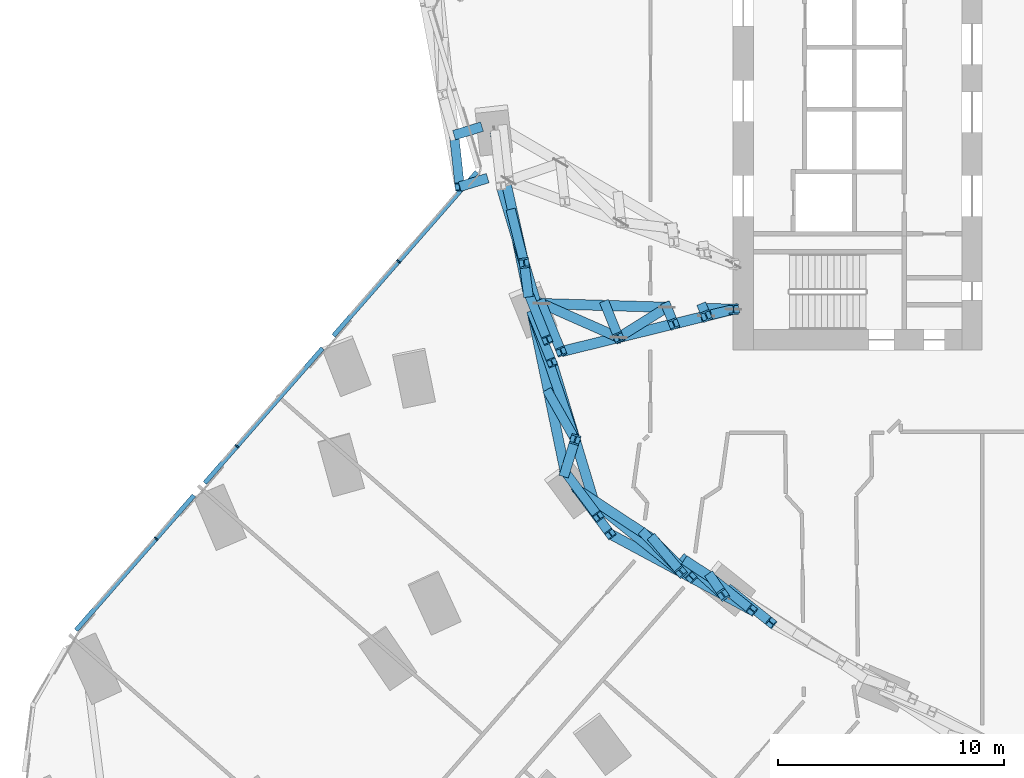
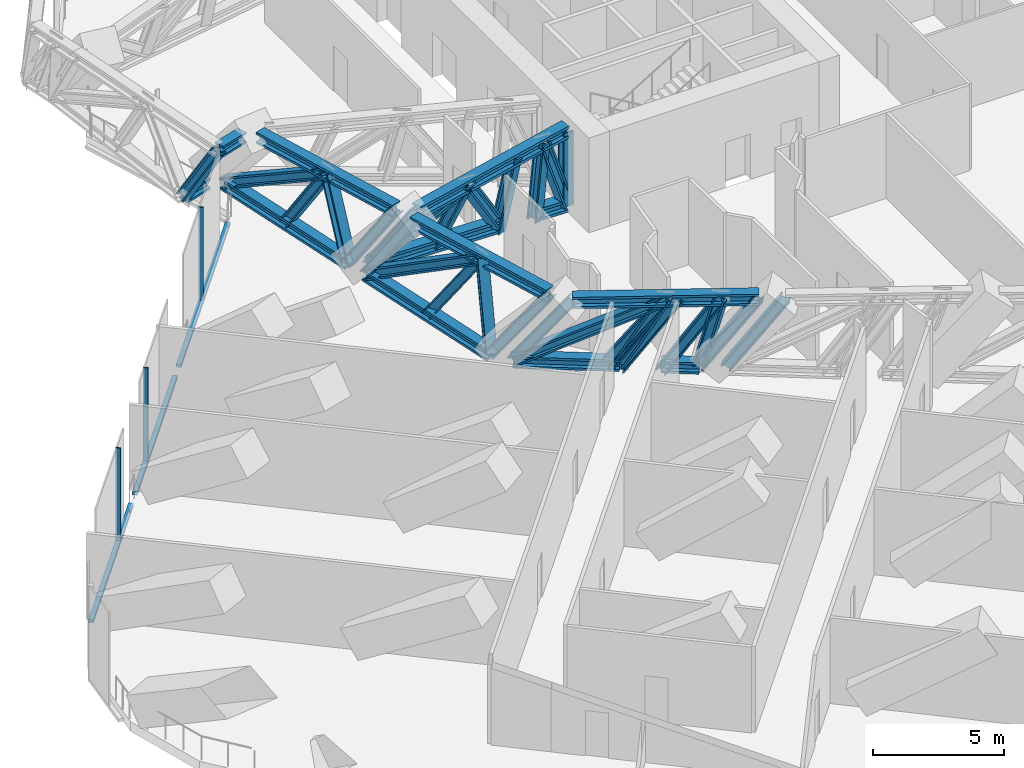
# One storey, part 6 of 34: 45 members, 1 element without a shape of its own.
"""IFC4 building model written with IfcOpenShell, lengths in metres."""

from ifc_helpers import new_model, si_unit, direction, frame, origin, origin_2d, place, context, subcontext, project, spatial, rectangle, i_section, extrude, material, material_profile, profile_set, type_object, element, aggregate, save


model = new_model("IFC4")

# Units and contexts
model_context = context("Model", 3, precision=1e-05, world=origin(), true_north=direction((0.0, 1.0)))
body_context = subcontext(model_context, "Body", "Model", "MODEL_VIEW")
ifc_project = project(units=[si_unit("LENGTHUNIT", "METRE"), si_unit("AREAUNIT", "SQUARE_METRE"), si_unit("VOLUMEUNIT", "CUBIC_METRE"), si_unit("PLANEANGLEUNIT", "RADIAN"), si_unit("MASSUNIT", "GRAM", prefix="KILO")], contexts=[model_context])

# Site, building, storey
site_placement = place(None, origin())
site = spatial("IfcSite", under=ifc_project, at=site_placement, CompositionType="ELEMENT")
building_placement = place(site_placement, origin())
building = spatial("IfcBuilding", under=site, at=building_placement, Name="Orlundy Tower", CompositionType="ELEMENT")
storey_placement = place(building_placement, frame((0.0, 0.0, 76.300048828125)))
storey = spatial("IfcBuildingStorey", under=building, at=storey_placement, Name="L18", CompositionType="ELEMENT", Elevation=76.300048828125)

# Members
ifc_material_1 = material(Name="Steel ASTM A992 Gr 50", Category="steel")
ifc_material_profile_1 = material_profile(ifc_material_1, i_section(OverallWidth=0.4423828125, OverallDepth=0.531494140625, WebThickness=0.06591796875, FlangeThickness=0.105712890625, at=origin_2d()), Name="W14X605")
ifc_profile_set_1 = profile_set([ifc_material_profile_1], Name="Steel ASTM A992 Gr 50")
member_type_1 = type_object("IfcMemberType", Name="BELT TRUSS chord W14X605", PredefinedType="CHORD", material=ifc_profile_set_1)
for number, where, z_axis, x_axis, name in (
    (1, (-29.500244140625, -2.482666015625, 0.28466796875), (0.20268972428, -0.979243011551, 0.0), (0.979243011551, 0.20268972428, 0.0), "Belt truss bottom chord BT-01"),
    (2, (-29.249267578125, -4.757080078125, 3.715087890625), (0.288120504515, -0.957594159797, 0.0), (0.957594159797, 0.288120504515, 0.0), "Belt truss top chord BT-01"),
):
    element("IfcMember", number, at=place(storey_placement, frame(where, z_axis=z_axis, x_axis=x_axis)), inside=storey, type_object=member_type_1, Name=name, PredefinedType="CHORD", context=body_context, shape_type="SweptSolid", body=[
        extrude(i_section(OverallWidth=0.4423828125, OverallDepth=0.531494140625, WebThickness=0.06591796875, FlangeThickness=0.105712890625, at=origin_2d()), origin(), (0.0, 0.0, 1.0), 7.101806640625),
    ])
member_1_placement = place(storey_placement, frame((-27.85498046875, -10.430908203125, 0.28466796875), z_axis=(0.202749990079, -0.979230535432, 0.0), x_axis=(0.979230535432, 0.202749990079, 0.0)))
element("IfcMember", 3, at=member_1_placement, inside=storey, type_object=member_type_1, Name="Belt truss bottom chord BT-02", PredefinedType="CHORD", context=body_context, shape_type="SweptSolid", body=[
    extrude(i_section(OverallWidth=0.4423828125, OverallDepth=0.531494140625, WebThickness=0.06591796875, FlangeThickness=0.105712890625, at=origin_2d()), origin(), (0.0, 0.0, 1.0), 7.100830078125),
])
member_2_placement = place(storey_placement, frame((-26.997314453125, -12.5517578125, 3.715087890625), z_axis=(0.288284551089, -0.957544786213, 0.0), x_axis=(0.957544786213, 0.288284551089, 0.0)))
element("IfcMember", 4, at=member_2_placement, inside=storey, type_object=member_type_1, Name="Belt truss top chord BT-02", PredefinedType="CHORD", context=body_context, shape_type="SweptSolid", body=[
    extrude(i_section(OverallWidth=0.4423828125, OverallDepth=0.531494140625, WebThickness=0.06591796875, FlangeThickness=0.105712890625, at=origin_2d()), origin(), (0.0, 0.0, 1.0), 7.10107421875),
])
member_3_placement = place(storey_placement, frame((-25.88818359375, -18.159912109375, 0.28466796875), z_axis=(0.835771760179, -0.5490770118, 0.0), x_axis=(0.5490770118, 0.835771760179, 0.0)))
element("IfcMember", 5, at=member_3_placement, inside=storey, type_object=member_type_1, Name="Belt truss bottom chord BT-03", PredefinedType="CHORD", context=body_context, shape_type="SweptSolid", body=[
    extrude(i_section(OverallWidth=0.4423828125, OverallDepth=0.531494140625, WebThickness=0.06591796875, FlangeThickness=0.105712890625, at=origin_2d()), origin(), (0.0, 0.0, 1.0), 4.056884765625),
])
member_4_placement = place(storey_placement, frame((-21.16015625, -21.26611328125, 0.28466796875), z_axis=(0.835827361223, -0.54899236992, 0.0), x_axis=(0.54899236992, 0.835827361223, 0.0)))
element("IfcMember", 6, at=member_4_placement, inside=storey, type_object=member_type_1, Name="Belt truss bottom chord BT-032", PredefinedType="CHORD", context=body_context, shape_type="SweptSolid", body=[
    extrude(i_section(OverallWidth=0.4423828125, OverallDepth=0.531494140625, WebThickness=0.06591796875, FlangeThickness=0.105712890625, at=origin_2d()), origin(), (0.0, 0.0, 1.0), 1.4443359375),
])
member_5_placement = place(storey_placement, frame((-24.42333984375, -20.126953125, 3.715087890625), z_axis=(0.880851633016, -0.473392438271, 0.0), x_axis=(0.473392438271, 0.880851633016, 0.0)))
element("IfcMember", 7, at=member_5_placement, inside=storey, type_object=member_type_1, Name="Belt truss top chord BT-03", PredefinedType="CHORD", context=body_context, shape_type="SweptSolid", body=[
    extrude(i_section(OverallWidth=0.4423828125, OverallDepth=0.531494140625, WebThickness=0.06591796875, FlangeThickness=0.105712890625, at=origin_2d()), origin(), (0.0, 0.0, 1.0), 7.10205078125),
])
ifc_material_2 = material(Name="Steel ASTM A992 Gr 50", Category="steel")
ifc_material_profile_2 = material_profile(ifc_material_2, i_section(OverallWidth=0.42431640625, OverallDepth=0.47412109375, WebThickness=0.0478515625, FlangeThickness=0.0771484375, at=origin_2d()), Name="W14X426")
ifc_profile_set_2 = profile_set([ifc_material_profile_2], Name="Steel ASTM A992 Gr 50")
member_type_2 = type_object("IfcMemberType", Name="BELT TRUSS diagonal W14X426", PredefinedType="BRACE", material=ifc_profile_set_2)
member_6_placement = place(storey_placement, frame((-29.500244140625, -2.482666015625, 0.28466796875), z_axis=(0.188699251208, -0.840414906129, 0.508030883067), x_axis=(0.975707646273, 0.219076673804, 0.0)))
element("IfcMember", 8, at=member_6_placement, inside=storey, type_object=member_type_2, Name="Belt truss diagonal BT-01-0", PredefinedType="BRACE", context=body_context, shape_type="SweptSolid", body=[
    extrude(i_section(OverallWidth=0.42431640625, OverallDepth=0.47412109375, WebThickness=0.0478515625, FlangeThickness=0.0771484375, at=origin_2d()), origin(), (0.0, 0.0, 1.0), 6.75244140625),
])
member_7_placement = place(storey_placement, frame((-28.22607421875, -8.157470703125, 3.715087890625), z_axis=(0.045097569008, -0.349123130234, -0.935991051883), x_axis=(0.991760037922, 0.128109434397, 0.0)))
element("IfcMember", 9, at=member_7_placement, inside=storey, type_object=member_type_2, Name="Belt truss diagonal BT-01-1", PredefinedType="BRACE", context=body_context, shape_type="SweptSolid", body=[
    extrude(i_section(OverallWidth=0.42431640625, OverallDepth=0.47412109375, WebThickness=0.0478515625, FlangeThickness=0.0771484375, at=origin_2d()), origin(), (0.0, 0.0, 1.0), 3.6650390625),
])
member_8_placement = place(storey_placement, frame((-27.85498046875, -10.430908203125, 0.28466796875), z_axis=(0.278012109082, -0.81588706172, 0.506988727411), x_axis=(0.946556668844, 0.322537552337, 0.0)))
element("IfcMember", 10, at=member_8_placement, inside=storey, type_object=member_type_2, Name="Belt truss diagonal BT-02-0", PredefinedType="BRACE", context=body_context, shape_type="SweptSolid", body=[
    extrude(i_section(OverallWidth=0.42431640625, OverallDepth=0.47412109375, WebThickness=0.0478515625, FlangeThickness=0.0771484375, at=origin_2d()), origin(), (0.0, 0.0, 1.0), 6.766357421875),
])
member_9_placement = place(storey_placement, frame((-25.973876953125, -15.951416015625, 3.715087890625), z_axis=(-0.117904640175, -0.382733591363, -0.916304258348), x_axis=(0.955680373652, -0.294406221769, 0.0)))
element("IfcMember", 11, at=member_9_placement, inside=storey, type_object=member_type_2, Name="Belt truss diagonal BT-02-1", PredefinedType="BRACE", context=body_context, shape_type="SweptSolid", body=[
    extrude(i_section(OverallWidth=0.42431640625, OverallDepth=0.47412109375, WebThickness=0.0478515625, FlangeThickness=0.0771484375, at=origin_2d()), origin(), (0.0, 0.0, 1.0), 3.74365234375),
])
member_10_placement = place(storey_placement, frame((-25.88818359375, -18.159912109375, 0.28466796875), z_axis=(0.6759148131, -0.536901714446, 0.504852170895), x_axis=(0.621985745203, 0.783028564462, 0.0)))
element("IfcMember", 12, at=member_10_placement, inside=storey, type_object=member_type_2, Name="Belt truss diagonal BT-03-0", PredefinedType="BRACE", context=body_context, shape_type="SweptSolid", body=[
    extrude(i_section(OverallWidth=0.42431640625, OverallDepth=0.47412109375, WebThickness=0.0478515625, FlangeThickness=0.0771484375, at=origin_2d()), origin(), (0.0, 0.0, 1.0), 6.794921875),
])
member_11_placement = place(storey_placement, frame((-21.29541015625, -21.80810546875, 3.715087890625), z_axis=(-0.308028592255, 0.364016729961, -0.878982483706), x_axis=(-0.763371357103, -0.645959883549, 0.0)))
element("IfcMember", 13, at=member_11_placement, inside=storey, type_object=member_type_2, Name="Belt truss diagonal BT-03-1", PredefinedType="BRACE", context=body_context, shape_type="SweptSolid", body=[
    extrude(i_section(OverallWidth=0.42431640625, OverallDepth=0.47412109375, WebThickness=0.0478515625, FlangeThickness=0.0771484375, at=origin_2d()), origin(), (0.0, 0.0, 1.0), 3.90283203125),
])
member_12_placement = place(storey_placement, frame((-19.43994140625, -22.80517578125, 3.715087890625), z_axis=(-0.14457580209, 0.210292075767, -0.966889383704), x_axis=(-0.824041924199, -0.566528822887, 0.0)))
element("IfcMember", 14, at=member_12_placement, inside=storey, type_object=member_type_2, Name="Belt truss diagonal BT-03-3", PredefinedType="BRACE", context=body_context, shape_type="SweptSolid", body=[
    extrude(i_section(OverallWidth=0.42431640625, OverallDepth=0.47412109375, WebThickness=0.0478515625, FlangeThickness=0.0771484375, at=origin_2d()), origin(), (0.0, 0.0, 1.0), 3.5478515625),
])
ifc_material_3 = material(Name="Steel ASTM A992 Gr 50", Category="steel")
ifc_material_profile_3 = material_profile(ifc_material_3, i_section(OverallWidth=0.412109375, OverallDepth=0.434814453125, WebThickness=0.035888671875, FlangeThickness=0.057373046875, at=origin_2d()), Name="W14X311")
ifc_profile_set_3 = profile_set([ifc_material_profile_3], Name="Steel ASTM A992 Gr 50")
member_type_3 = type_object("IfcMemberType", Name="BELT TRUSS post W14X311", PredefinedType="POST", material=ifc_profile_set_3)
member_13_placement = place(storey_placement, frame((-28.780517578125, -5.9599609375, 0.28466796875), z_axis=(0.134852621673, -0.534481923241, 0.834352350123), x_axis=(0.969614277657, 0.244638820638, 0.0)))
element("IfcMember", 15, at=member_13_placement, inside=storey, type_object=member_type_3, Name="Belt truss post BT-01-1", PredefinedType="POST", context=body_context, shape_type="SweptSolid", body=[
    extrude(i_section(OverallWidth=0.412109375, OverallDepth=0.434814453125, WebThickness=0.035888671875, FlangeThickness=0.057373046875, at=origin_2d()), origin(), (0.0, 0.0, 1.0), 4.111572265625),
])
member_14_placement = place(storey_placement, frame((-28.060791015625, -9.43701171875, 0.28466796875), z_axis=(0.208012486797, -0.514317238917, 0.831990734978), x_axis=(0.927049296818, 0.374939463472, 0.0)))
element("IfcMember", 16, at=member_14_placement, inside=storey, type_object=member_type_3, Name="Belt truss post BT-01-2", PredefinedType="POST", context=body_context, shape_type="SweptSolid", body=[
    extrude(i_section(OverallWidth=0.412109375, OverallDepth=0.434814453125, WebThickness=0.035888671875, FlangeThickness=0.057373046875, at=origin_2d()), origin(), (0.0, 0.0, 1.0), 4.123046875),
])
member_15_placement = place(storey_placement, frame((-27.85498046875, -10.430908203125, 0.28466796875), z_axis=(0.208006151938, -0.514360786191, 0.831965397348), x_axis=(0.927064298531, 0.374902369142, 0.0)))
element("IfcMember", 17, at=member_15_placement, inside=storey, type_object=member_type_3, Name="Belt truss post BT-02-0", PredefinedType="POST", context=body_context, shape_type="SweptSolid", body=[
    extrude(i_section(OverallWidth=0.412109375, OverallDepth=0.434814453125, WebThickness=0.035888671875, FlangeThickness=0.057373046875, at=origin_2d()), origin(), (0.0, 0.0, 1.0), 4.123291015625),
])
member_16_placement = place(storey_placement, frame((-27.135009765625, -13.90771484375, 0.28466796875), z_axis=(0.279222353819, -0.4914571749, 0.824927101244), x_axis=(0.869467710365, 0.493989777863, 0.0)))
element("IfcMember", 18, at=member_16_placement, inside=storey, type_object=member_type_3, Name="Belt truss post BT-02-1", PredefinedType="POST", context=body_context, shape_type="SweptSolid", body=[
    extrude(i_section(OverallWidth=0.412109375, OverallDepth=0.434814453125, WebThickness=0.035888671875, FlangeThickness=0.057373046875, at=origin_2d()), origin(), (0.0, 0.0, 1.0), 4.158447265625),
])
for number, where, z_axis, x_axis, name in (
    (19, (-26.415283203125, -17.38427734375, 0.28466796875), (0.347420060499, -0.466449496325, 0.813464300963), (0.801990351817, 0.597336986627, 0.0), "Belt truss post BT-02-2"),
    (20, (-25.88818359375, -18.159912109375, 0.28466796875), (0.347369153079, -0.466458877726, 0.813480661651), (0.802038037376, 0.597272958205, 0.0), "Belt truss post BT-03-0"),
):
    element("IfcMember", number, at=place(storey_placement, frame(where, z_axis=z_axis, x_axis=x_axis)), inside=storey, type_object=member_type_3, Name=name, PredefinedType="POST", context=body_context, shape_type="SweptSolid", body=[
        extrude(i_section(OverallWidth=0.412109375, OverallDepth=0.434814453125, WebThickness=0.035888671875, FlangeThickness=0.057373046875, at=origin_2d()), origin(), (0.0, 0.0, 1.0), 4.217041015625),
    ])
member_17_placement = place(storey_placement, frame((-22.920654296875, -20.109619140625, 0.28466796875), z_axis=(0.390814068484, -0.408426239214, 0.824895369727), x_axis=(0.722513282855, 0.691357039523, 0.0)))
element("IfcMember", 21, at=member_17_placement, inside=storey, type_object=member_type_3, Name="Belt truss post BT-03-1", PredefinedType="POST", context=body_context, shape_type="SweptSolid", body=[
    extrude(i_section(OverallWidth=0.412109375, OverallDepth=0.434814453125, WebThickness=0.035888671875, FlangeThickness=0.057373046875, at=origin_2d()), origin(), (0.0, 0.0, 1.0), 4.15869140625),
])
member_18_placement = place(storey_placement, frame((-22.49755859375, -20.387451171875, 0.01904296875), z_axis=(0.376800952221, -0.379535842854, 0.8449695772), x_axis=(0.709659018136, 0.704545298741, 0.0)))
element("IfcMember", 22, at=member_18_placement, inside=storey, type_object=member_type_3, Name="Belt truss post BT-03-2", PredefinedType="POST", context=body_context, shape_type="SweptSolid", body=[
    extrude(i_section(OverallWidth=0.412109375, OverallDepth=0.434814453125, WebThickness=0.035888671875, FlangeThickness=0.057373046875, at=origin_2d()), origin(), (0.0, 0.0, 1.0), 4.374267578125),
])
member_19_placement = place(storey_placement, frame((-21.16015625, -21.26611328125, 0.01904296875), z_axis=(0.394762791664, -0.353191121012, 0.848185339626), x_axis=(0.66677630877, 0.745257911104, 0.0)))
element("IfcMember", 23, at=member_19_placement, inside=storey, type_object=member_type_3, Name="Belt truss post BT-03-3", PredefinedType="POST", context=body_context, shape_type="SweptSolid", body=[
    extrude(i_section(OverallWidth=0.412109375, OverallDepth=0.434814453125, WebThickness=0.035888671875, FlangeThickness=0.057373046875, at=origin_2d()), origin(), (0.0, 0.0, 1.0), 4.357666015625),
])
for number, where, z_axis, x_axis, name in (
    (24, (-19.952880859375, -22.05908203125, 0.28466796875), (0.433021418029, -0.346807937289, 0.831995616672), (0.625124480939, 0.780525068996, 0.0), "Belt truss post BT-03-4"),
    (25, (-19.1044921875, -22.6162109375, 0.28466796875), (0.433021418029, -0.346807937289, 0.831995616672), (0.625124480939, 0.780525068996, 0.0), "Belt truss post BT-04-0"),
):
    element("IfcMember", number, at=place(storey_placement, frame(where, z_axis=z_axis, x_axis=x_axis)), inside=storey, type_object=member_type_3, Name=name, PredefinedType="POST", context=body_context, shape_type="SweptSolid", body=[
        extrude(i_section(OverallWidth=0.412109375, OverallDepth=0.434814453125, WebThickness=0.035888671875, FlangeThickness=0.057373046875, at=origin_2d()), origin(), (0.0, 0.0, 1.0), 4.123046875),
    ])
member_20_placement = place(storey_placement, frame((-31.321533203125, -2.51123046875, 0.28466796875), z_axis=(0.060866069322, -0.551524742928, 0.831934961126), x_axis=(0.993965442161, 0.109693663397, 0.0)))
element("IfcMember", 26, at=member_20_placement, inside=storey, type_object=member_type_3, Name="Belt truss post BT-24A-2", PredefinedType="POST", context=body_context, shape_type="SweptSolid", body=[
    extrude(i_section(OverallWidth=0.412109375, OverallDepth=0.434814453125, WebThickness=0.035888671875, FlangeThickness=0.057373046875, at=origin_2d()), origin(), (0.0, 0.0, 1.0), 4.12353515625),
])
ifc_material_4 = material(Name="Steel ASTM A992 Gr 50", Category="steel")
ifc_material_profile_4 = material_profile(ifc_material_4, i_section(OverallWidth=0.43212890625, OverallDepth=0.497802734375, WebThickness=0.0556640625, FlangeThickness=0.0888671875, at=origin_2d()), Name="W14X500")
ifc_profile_set_4 = profile_set([ifc_material_profile_4], Name="Steel ASTM A992 Gr 50")
member_type_4 = type_object("IfcMemberType", Name="BELT TRUSS strut W14X500", PredefinedType="STRUT", material=ifc_profile_set_4)
for number, where, z_axis, x_axis, name in (
    (27, (-30.08837890625, -2.13427734375, 0.28466796875), (-0.956317760074, -0.292329166809, 0.0), (0.292329166809, -0.956317760074, 0.0), "Belt truss bracket C-H15"),
    (28, (-29.83740234375, -4.408447265625, 3.715087890625), (-0.956317760074, -0.292329166809, 0.0), (0.292329166809, -0.956317760074, 0.0), "Belt truss bracket C-H15"),
):
    element("IfcMember", number, at=place(storey_placement, frame(where, z_axis=z_axis, x_axis=x_axis)), inside=storey, type_object=member_type_4, Name=name, PredefinedType="STRUT", context=body_context, shape_type="SweptSolid", body=[
        extrude(i_section(OverallWidth=0.43212890625, OverallDepth=0.497802734375, WebThickness=0.0556640625, FlangeThickness=0.0888671875, at=origin_2d()), origin(), (0.0, 0.0, 1.0), 1.28955078125),
    ])

# Curtain wall, members
ifc_material_5 = material(Name="Aluminium bronze anodised", Category="aluminium")
curtain_wall_type = type_object("IfcCurtainWallType", Name="CW4 wall", PredefinedType="NOTDEFINED", material=ifc_material_5)
curtain_wall_placement = place(storey_placement, origin())
curtain_wall = element("IfcCurtainWall", 29, at=curtain_wall_placement, inside=storey, type_object=curtain_wall_type, Name="CW4 run 042", PredefinedType="NOTDEFINED")
ifc_material_6 = material(Name="Aluminium bronze anodised", Category="aluminium")
ifc_material_profile_5 = material_profile(ifc_material_6, rectangle(XDim=0.199951171875, YDim=0.06005859375, at=origin_2d()), Name="CW4 mullion 60x200")
ifc_profile_set_5 = profile_set([ifc_material_profile_5], Name="Aluminium bronze anodised")
member_type_5 = type_object("IfcMemberType", Name="CW4 mullion 60x200", PredefinedType="MULLION", material=ifc_profile_set_5)
member_21_placement = place(storey_placement, frame((-44.4755859375, -20.328125, -0.449951171875), z_axis=(0.0, 0.0, 1.0), x_axis=(-0.752784624507, 0.658266898078, 0.0)))
member_21 = element("IfcMember", 30, at=member_21_placement, type_object=member_type_5, Name="CW4 mullion 71", PredefinedType="MULLION", context=body_context, shape_type="SweptSolid", body=[
    extrude(rectangle(XDim=0.199951171875, YDim=0.06005859375, at=origin_2d()), origin(), (0.0, 0.0, 1.0), 4.449951171875),
])
member_22_placement = place(storey_placement, frame((-40.906982421875, -16.2470703125, -0.449951171875), z_axis=(0.0, 0.0, 1.0), x_axis=(-0.752784624507, 0.658266898078, 0.0)))
member_22 = element("IfcMember", 31, at=member_22_placement, type_object=member_type_5, Name="CW4 mullion 72", PredefinedType="MULLION", context=body_context, shape_type="SweptSolid", body=[
    extrude(rectangle(XDim=0.199951171875, YDim=0.06005859375, at=origin_2d()), origin(), (0.0, 0.0, 1.0), 4.449951171875),
])
member_23_placement = place(storey_placement, frame((-33.769775390625, -8.085205078125, -0.449951171875), z_axis=(0.0, 0.0, 1.0), x_axis=(-0.752784624507, 0.658266898078, 0.0)))
member_23 = element("IfcMember", 32, at=member_23_placement, type_object=member_type_5, Name="CW4 mullion 74", PredefinedType="MULLION", context=body_context, shape_type="SweptSolid", body=[
    extrude(rectangle(XDim=0.199951171875, YDim=0.06005859375, at=origin_2d()), origin(), (0.0, 0.0, 1.0), 4.449951171875),
])
ifc_material_7 = material(Name="Aluminium bronze anodised", Category="aluminium")
ifc_material_profile_6 = material_profile(ifc_material_7, rectangle(XDim=0.199951171875, YDim=0.14990234375, at=origin_2d()), Name="CW4 transom 200x150")
ifc_profile_set_6 = profile_set([ifc_material_profile_6], Name="Aluminium bronze anodised")
member_type_6 = type_object("IfcMemberType", Name="CW4 transom 200x150", PredefinedType="USERDEFINED", material=ifc_profile_set_6)
member_24_placement = place(storey_placement, frame((-48.0126953125, -24.373046875, -0.375), z_axis=(0.658257501911, 0.752792840812, 0.0), x_axis=(-0.752792840812, 0.658257501911, 0.0)))
member_24 = element("IfcMember", 33, at=member_24_placement, type_object=member_type_6, Name="CW4 transom", ObjectType="TRANSOM", PredefinedType="USERDEFINED", context=body_context, shape_type="SweptSolid", body=[
    extrude(rectangle(XDim=0.199951171875, YDim=0.14990234375, at=origin_2d()), origin(), (0.0, 0.0, 1.0), 7.905029296875),
])
member_25_placement = place(storey_placement, frame((-42.326904296875, -17.87109375, -0.375), z_axis=(0.658255140119, 0.752794906005, 0.0), x_axis=(-0.752794906005, 0.658255140119, 0.0)))
member_25 = element("IfcMember", 34, at=member_25_placement, type_object=member_type_6, Name="CW4 transom", ObjectType="TRANSOM", PredefinedType="USERDEFINED", context=body_context, shape_type="SweptSolid", body=[
    extrude(rectangle(XDim=0.199951171875, YDim=0.14990234375, at=origin_2d()), origin(), (0.0, 0.0, 1.0), 7.899658203125),
])
member_26_placement = place(storey_placement, frame((-36.64404296875, -11.3720703125, -0.375), z_axis=(0.658267263388, 0.752784305064, 0.0), x_axis=(-0.752784305064, 0.658267263388, 0.0)))
member_26 = element("IfcMember", 35, at=member_26_placement, type_object=member_type_6, Name="CW4 transom", ObjectType="TRANSOM", PredefinedType="USERDEFINED", context=body_context, shape_type="SweptSolid", body=[
    extrude(rectangle(XDim=0.199951171875, YDim=0.14990234375, at=origin_2d()), origin(), (0.0, 0.0, 1.0), 9.614013671875),
])
aggregate(curtain_wall, [member_21, member_22, member_23, member_24, member_25, member_26])

# Members
ifc_material_8 = material(Name="Steel ASTM A992 Gr 50", Category="steel")
ifc_material_profile_7 = material_profile(ifc_material_8, i_section(OverallWidth=0.454345703125, OverallDepth=0.569580078125, WebThickness=0.077880859375, FlangeThickness=0.124755859375, at=origin_2d()), Name="W14X730")
ifc_profile_set_7 = profile_set([ifc_material_profile_7], Name="Steel ASTM A992 Gr 50")
member_type_7 = type_object("IfcMemberType", Name="OUTRIGGER TRUSS chord W14X730", PredefinedType="CHORD", material=ifc_profile_set_7)
member_27_placement = place(storey_placement, frame((-18.97998046875, -10.199951171875, 0.28466796875), z_axis=(-0.999565550169, 0.02947390228, 0.0), x_axis=(-0.02947390228, -0.999565550169, 0.0)))
element("IfcMember", 36, at=member_27_placement, inside=storey, type_object=member_type_7, Name="Outrigger truss bottom chord OR-W-C-H14", PredefinedType="CHORD", context=body_context, shape_type="SweptSolid", body=[
    extrude(i_section(OverallWidth=0.454345703125, OverallDepth=0.569580078125, WebThickness=0.077880859375, FlangeThickness=0.124755859375, at=origin_2d()), origin(), (0.0, 0.0, 1.0), 1.341796875),
])
member_28_placement = place(storey_placement, frame((-21.920654296875, -10.11279296875, 0.28466796875), z_axis=(-0.999562781729, 0.029567640784, 0.0), x_axis=(-0.029567640784, -0.999562781729, 0.0)))
element("IfcMember", 37, at=member_28_placement, inside=storey, type_object=member_type_7, Name="Outrigger truss bottom chord OR-W-C-H142", PredefinedType="CHORD", context=body_context, shape_type="SweptSolid", body=[
    extrude(i_section(OverallWidth=0.454345703125, OverallDepth=0.569580078125, WebThickness=0.077880859375, FlangeThickness=0.124755859375, at=origin_2d()), origin(), (0.0, 0.0, 1.0), 5.5322265625),
])
member_29_placement = place(storey_placement, frame((-18.97998046875, -10.199951171875, 3.715087890625), z_axis=(-0.971143509326, -0.238495878986, 0.0), x_axis=(0.238495878986, -0.971143509326, 0.0)))
element("IfcMember", 38, at=member_29_placement, inside=storey, type_object=member_type_7, Name="Outrigger truss top chord OR-W-C-H14", PredefinedType="CHORD", context=body_context, shape_type="SweptSolid", body=[
    extrude(i_section(OverallWidth=0.454345703125, OverallDepth=0.569580078125, WebThickness=0.077880859375, FlangeThickness=0.124755859375, at=origin_2d()), origin(), (0.0, 0.0, 1.0), 7.83935546875),
])
ifc_material_9 = material(Name="Steel ASTM A992 Gr 50", Category="steel")
ifc_material_profile_8 = material_profile(ifc_material_9, i_section(OverallWidth=0.43212890625, OverallDepth=0.497802734375, WebThickness=0.0556640625, FlangeThickness=0.0888671875, at=origin_2d()), Name="W14X500")
ifc_profile_set_8 = profile_set([ifc_material_profile_8], Name="Steel ASTM A992 Gr 50")
member_type_8 = type_object("IfcMemberType", Name="OUTRIGGER TRUSS diagonal W14X500", PredefinedType="BRACE", material=ifc_profile_set_8)
member_30_placement = place(storey_placement, frame((-18.97998046875, -10.199951171875, 0.28466796875), z_axis=(-0.330461233514, -0.081176483648, 0.940322153119), x_axis=(0.238554020782, -0.971129228872, 0.0)))
element("IfcMember", 39, at=member_30_placement, inside=storey, type_object=member_type_8, Name="Outrigger truss diagonal OR-W-C-H14-0", PredefinedType="BRACE", context=body_context, shape_type="SweptSolid", body=[
    extrude(i_section(OverallWidth=0.43212890625, OverallDepth=0.497802734375, WebThickness=0.0556640625, FlangeThickness=0.0888671875, at=origin_2d()), origin(), (0.0, 0.0, 1.0), 3.648193359375),
])
member_31_placement = place(storey_placement, frame((-21.920654296875, -10.11279296875, 0.28466796875), z_axis=(-0.50172357974, -0.31346247897, 0.806234906098), x_axis=(0.529859440788, -0.84808547506, 0.0)))
element("IfcMember", 40, at=member_31_placement, inside=storey, type_object=member_type_8, Name="Outrigger truss diagonal OR-W-C-H14-2", PredefinedType="BRACE", context=body_context, shape_type="SweptSolid", body=[
    extrude(i_section(OverallWidth=0.43212890625, OverallDepth=0.497802734375, WebThickness=0.0556640625, FlangeThickness=0.0888671875, at=origin_2d()), origin(), (0.0, 0.0, 1.0), 4.2548828125),
])
member_32_placement = place(storey_placement, frame((-24.055419921875, -11.446533203125, 3.715087890625), z_axis=(-0.671841436517, 0.296304007634, -0.678846830469), x_axis=(-0.403530050463, -0.914966391936, 0.0)))
element("IfcMember", 41, at=member_32_placement, inside=storey, type_object=member_type_8, Name="Outrigger truss diagonal OR-W-C-H14-3", PredefinedType="BRACE", context=body_context, shape_type="SweptSolid", body=[
    extrude(i_section(OverallWidth=0.43212890625, OverallDepth=0.497802734375, WebThickness=0.0556640625, FlangeThickness=0.0888671875, at=origin_2d()), origin(), (0.0, 0.0, 1.0), 5.05322265625),
])
ifc_material_10 = material(Name="Steel ASTM A992 Gr 50", Category="steel")
ifc_material_profile_9 = material_profile(ifc_material_10, i_section(OverallWidth=0.41845703125, OverallDepth=0.455078125, WebThickness=0.0419921875, FlangeThickness=0.067626953125, at=origin_2d()), Name="W14X370")
ifc_profile_set_9 = profile_set([ifc_material_profile_9], Name="Steel ASTM A992 Gr 50")
member_type_9 = type_object("IfcMemberType", Name="OUTRIGGER TRUSS post W14X370", PredefinedType="POST", material=ifc_profile_set_9)
member_33_placement = place(storey_placement, frame((-18.97998046875, -10.199951171875, 0.28466796875), z_axis=(0.0, 0.0, 1.0), x_axis=(1.0, 0.0, 0.0)))
element("IfcMember", 42, at=member_33_placement, inside=storey, type_object=member_type_9, Name="Outrigger truss post OR-W-C-H14-0", PredefinedType="POST", context=body_context, shape_type="SweptSolid", body=[
    extrude(i_section(OverallWidth=0.41845703125, OverallDepth=0.455078125, WebThickness=0.0419921875, FlangeThickness=0.067626953125, at=origin_2d()), origin(), (0.0, 0.0, 1.0), 3.430419921875),
])
member_34_placement = place(storey_placement, frame((-20.3212890625, -10.160400390625, 0.0), z_axis=(0.036365755831, -0.089933299043, 0.99528364476), x_axis=(0.927075169292, 0.374875486637, 0.0)))
element("IfcMember", 43, at=member_34_placement, inside=storey, type_object=member_type_9, Name="Outrigger truss post OR-W-C-H14-1", PredefinedType="POST", context=body_context, shape_type="SweptSolid", body=[
    extrude(i_section(OverallWidth=0.41845703125, OverallDepth=0.455078125, WebThickness=0.0419921875, FlangeThickness=0.067626953125, at=origin_2d()), origin(), (0.0, 0.0, 1.0), 3.732666015625),
])
member_35_placement = place(storey_placement, frame((-21.920654296875, -10.11279296875, 0.0), z_axis=(0.078337743736, -0.193820045206, 0.97790438591), x_axis=(0.927135062768, 0.37472733472, 0.0)))
element("IfcMember", 44, at=member_35_placement, inside=storey, type_object=member_type_9, Name="Outrigger truss post OR-W-C-H14-2", PredefinedType="POST", context=body_context, shape_type="SweptSolid", body=[
    extrude(i_section(OverallWidth=0.41845703125, OverallDepth=0.455078125, WebThickness=0.0419921875, FlangeThickness=0.067626953125, at=origin_2d()), origin(), (0.0, 0.0, 1.0), 3.799072265625),
])
member_36_placement = place(storey_placement, frame((-24.626953125, -10.03271484375, 0.28466796875), z_axis=(0.152242150852, -0.376605850313, 0.913778069891), x_axis=(0.927112432855, 0.374783319861, 0.0)))
element("IfcMember", 45, at=member_36_placement, inside=storey, type_object=member_type_9, Name="Outrigger truss post OR-W-C-H14-3", PredefinedType="POST", context=body_context, shape_type="SweptSolid", body=[
    extrude(i_section(OverallWidth=0.41845703125, OverallDepth=0.455078125, WebThickness=0.0419921875, FlangeThickness=0.067626953125, at=origin_2d()), origin(), (0.0, 0.0, 1.0), 3.754150390625),
])
member_37_placement = place(storey_placement, frame((-27.450439453125, -9.94921875, 0.28466796875), z_axis=(0.207962168745, -0.514280021512, 0.832026319202), x_axis=(0.927071392039, 0.374884827731, 0.0)))
element("IfcMember", 46, at=member_37_placement, inside=storey, type_object=member_type_9, Name="Outrigger truss post OR-W-C-H14-4", PredefinedType="POST", context=body_context, shape_type="SweptSolid", body=[
    extrude(i_section(OverallWidth=0.41845703125, OverallDepth=0.455078125, WebThickness=0.0419921875, FlangeThickness=0.067626953125, at=origin_2d()), origin(), (0.0, 0.0, 1.0), 4.123046875),
])

save(model, "model.ifc")
